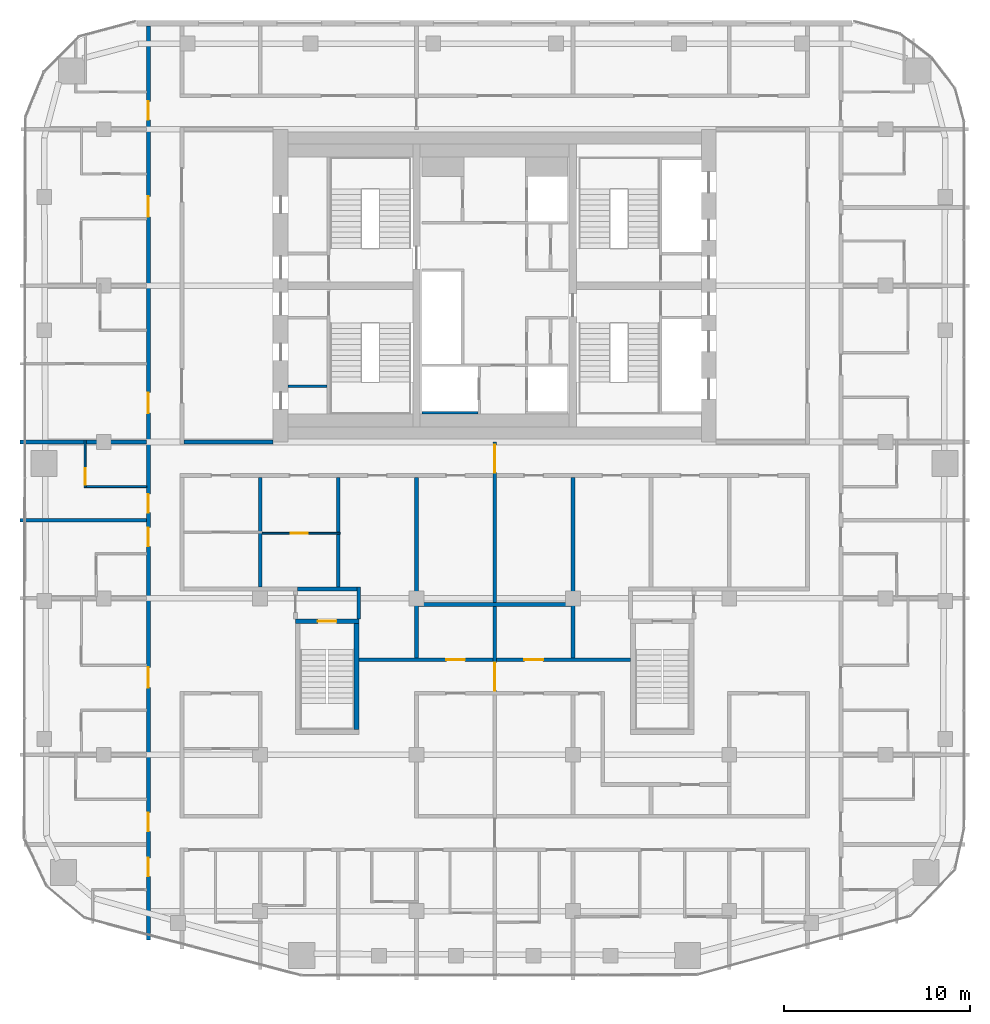
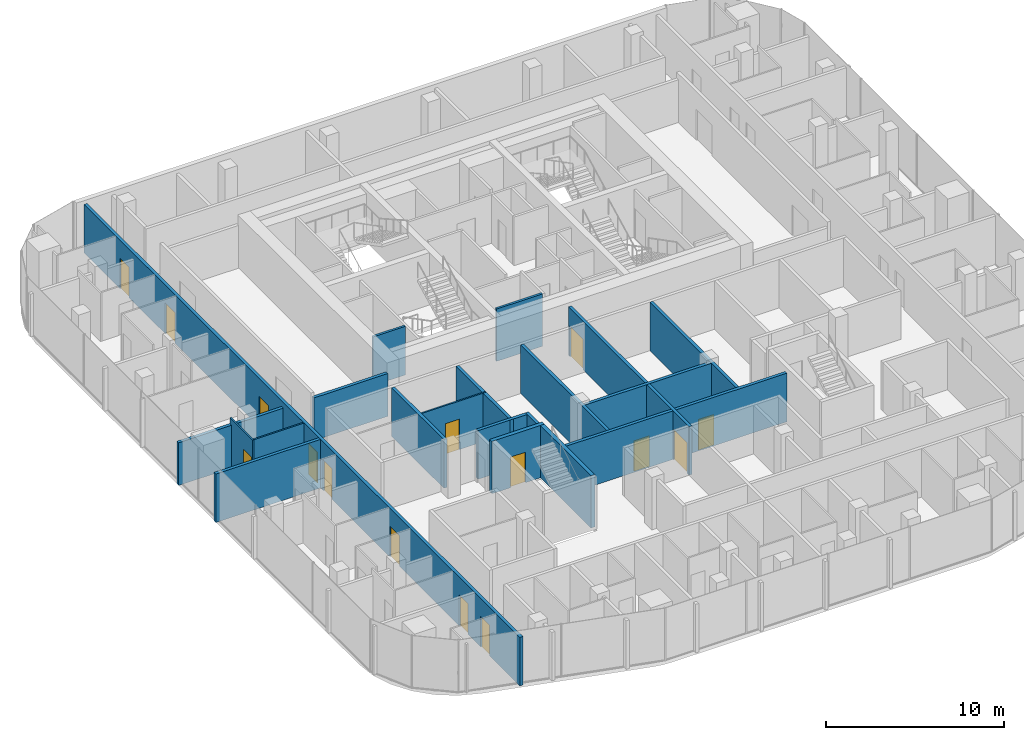
# One storey, part 15 of 22: 20 walls, 15 doors, 15 openings.
"""IFC4 building model written with IfcOpenShell, lengths in metres."""

from ifc_helpers import new_model, si_unit, direction, frame, frame_2d, origin, place, context, subcontext, project, spatial, rectangle, extrude, material, layer, layer_set, type_object, element, fill, save


model = new_model("IFC4")

# Units and contexts
model_context = context("Model", 3, precision=1e-05, world=origin(), true_north=direction((0.0, 1.0)))
body_context = subcontext(model_context, "Body", "Model", "MODEL_VIEW")
ifc_project = project(units=[si_unit("LENGTHUNIT", "METRE"), si_unit("AREAUNIT", "SQUARE_METRE"), si_unit("VOLUMEUNIT", "CUBIC_METRE"), si_unit("PLANEANGLEUNIT", "RADIAN"), si_unit("MASSUNIT", "GRAM", prefix="KILO")], contexts=[model_context])

# Site, building, storey
site_placement = place(None, origin())
site = spatial("IfcSite", under=ifc_project, at=site_placement, CompositionType="ELEMENT")
building_placement = place(site_placement, origin())
building = spatial("IfcBuilding", under=site, at=building_placement, Name="Marenta Gate Hotel Tower", CompositionType="ELEMENT")
storey_placement = place(building_placement, frame((0.0, 0.0, 209.300048828125)))
storey = spatial("IfcBuildingStorey", under=building, at=storey_placement, Name="L48", CompositionType="ELEMENT", Elevation=209.300048828125)

# Wall, openings, doors
ifc_material_1 = material(Name="Concrete blockwork", Category="masonry")
ifc_layer_1 = layer(ifc_material_1, 0.199951171875)
ifc_layer_set_1 = layer_set([ifc_layer_1], Name="Concrete blockwork")
wall_type_1 = type_object("IfcWallType", Name="Compartment wall 200 REI 180", PredefinedType="PARTITIONING", material=ifc_layer_set_1)
wall_1_placement = place(storey_placement, frame((0.0, -13.60009765625, 0.0), z_axis=(0.0, 0.0, 1.0), x_axis=(0.0, 1.0, 0.0)))
wall_1 = element("IfcWall", 1, at=wall_1_placement, inside=storey, type_object=wall_type_1, Name="L48-PTN-W082", PredefinedType="PARTITIONING", context=body_context, shape_type="SweptSolid", body=[
    extrude(rectangle(XDim=13.60009765625, YDim=0.199951171875, at=frame_2d((6.800048828125, 0.0))), origin(), (0.0, 0.0, 1.0), 3.33984375),
])
opening_1_placement = place(wall_1_placement, frame((11.949951171875, 0.0, 0.0)))
opening_1 = element("IfcOpeningElement", 2, at=opening_1_placement, cuts=wall_1, Name="Opening G17-FD2", PredefinedType="OPENING", context=body_context, shape_type="SweptSolid", body=[
    extrude(rectangle(XDim=1.5, YDim=2.10009765625, at=frame_2d((0.75, 1.050048828125))), frame((0.0, 0.10009765625, 0.0), z_axis=(0.0, -1.0, 0.0), x_axis=(1.0, 0.0, 0.0)), (0.0, 0.0, 1.0), 0.199951171875),
])
opening_2_placement = place(wall_1_placement, frame((0.25, 0.0, 0.0)))
opening_2 = element("IfcOpeningElement", 3, at=opening_2_placement, cuts=wall_1, Name="Opening G17-FD3", PredefinedType="OPENING", context=body_context, shape_type="SweptSolid", body=[
    extrude(rectangle(XDim=1.5, YDim=2.10009765625, at=frame_2d((0.75, 1.050048828125))), frame((0.0, 0.10009765625, 0.0), z_axis=(0.0, -1.0, 0.0), x_axis=(1.0, 0.0, 0.0)), (0.0, 0.0, 1.0), 0.199951171875),
])
ifc_material_2 = material(Name="Hollow steel door set", Category="steel")
door_type_1 = type_object("IfcDoorType", Name="Compartment fire door 1500x2100 EI 60", OperationType="DOUBLE_DOOR_DOUBLE_SWING", PredefinedType="DOOR", material=ifc_material_2)
door_1_placement = place(opening_1_placement, origin())
door_1 = element("IfcDoor", 4, at=door_1_placement, inside=storey, type_object=door_type_1, Name="L48-PD-FD02", OperationType="DOUBLE_DOOR_DOUBLE_SWING", OverallHeight=2.10009765625, OverallWidth=1.5, PredefinedType="DOOR", context=body_context, shape_type="SweptSolid", body=[
    extrude(rectangle(XDim=1.5, YDim=2.10009765625, at=frame_2d((0.75, 1.050048828125))), frame((0.0, 0.02490234375, 0.0), z_axis=(0.0, -1.0, 0.0), x_axis=(1.0, 0.0, 0.0)), (0.0, 0.0, 1.0), 0.050048828125),
])
fill(opening_1, door_1)
door_2_placement = place(opening_2_placement, origin())
door_2 = element("IfcDoor", 5, at=door_2_placement, inside=storey, type_object=door_type_1, Name="L48-PD-FD03", OperationType="DOUBLE_DOOR_DOUBLE_SWING", OverallHeight=2.10009765625, OverallWidth=1.5, PredefinedType="DOOR", context=body_context, shape_type="SweptSolid", body=[
    extrude(rectangle(XDim=1.5, YDim=2.10009765625, at=frame_2d((0.75, 1.050048828125))), frame((0.0, 0.02490234375, 0.0), z_axis=(0.0, -1.0, 0.0), x_axis=(1.0, 0.0, 0.0)), (0.0, 0.0, 1.0), 0.050048828125),
])
fill(opening_2, door_2)

# Walls
ifc_material_3 = material(Name="Concrete blockwork", Category="masonry")
ifc_layer_2 = layer(ifc_material_3, 0.199951171875)
ifc_layer_set_2 = layer_set([ifc_layer_2], Name="Concrete blockwork")
wall_type_2 = type_object("IfcWallType", Name="Core boundary wall 200 REI 180", PredefinedType="PARTITIONING", material=ifc_layer_set_2)
wall_2_placement = place(storey_placement, frame((-16.699951171875, 0.0, 0.0), z_axis=(0.0, 0.0, 1.0), x_axis=(1.0, 0.0, 0.0)))
element("IfcWall", 6, at=wall_2_placement, inside=storey, type_object=wall_type_2, Name="L48-CP-EW-WS", PredefinedType="PARTITIONING", context=body_context, shape_type="SweptSolid", body=[
    extrude(rectangle(XDim=4.800048828125, YDim=0.199951171875, at=frame_2d((2.39990234375, 0.0))), origin(), (0.0, 0.0, 1.0), 2.93994140625),
])
ifc_material_4 = material(Name="Concrete blockwork", Category="masonry")
ifc_layer_3 = layer(ifc_material_4, 0.14990234375)
ifc_layer_set_3 = layer_set([ifc_layer_3], Name="Concrete blockwork")
wall_type_3 = type_object("IfcWallType", Name="Core room partition 150 REI 180", PredefinedType="PARTITIONING", material=ifc_layer_set_3)
wall_3_placement = place(storey_placement, frame((-11.10009765625, 3.0, 0.0), z_axis=(0.0, 0.0, 1.0), x_axis=(1.0, 0.0, 0.0)))
element("IfcWall", 7, at=wall_3_placement, inside=storey, type_object=wall_type_3, Name="L48-CP-RW-WS-1", PredefinedType="PARTITIONING", context=body_context, shape_type="SweptSolid", body=[
    extrude(rectangle(XDim=2.10009765625, YDim=0.14990234375, at=frame_2d((1.050048828125, 0.0))), origin(), (0.0, 0.0, 1.0), 3.33984375),
])
ifc_material_5 = material(Name="Concrete C40", Category="concrete")
ifc_layer_4 = layer(ifc_material_5, 0.14990234375)
ifc_layer_set_4 = layer_set([ifc_layer_4], Name="Concrete C40")
wall_type_4 = type_object("IfcWallType", Name="Core shaft wall 150 REI 180", PredefinedType="SHEAR", material=ifc_layer_set_4)
wall_4_placement = place(storey_placement, frame((-3.89990234375, 1.574951171875, 0.0), z_axis=(0.0, 0.0, 1.0), x_axis=(1.0, 0.0, 0.0)))
element("IfcWall", 8, at=wall_4_placement, inside=storey, type_object=wall_type_4, Name="L48-SHF-CW-W-ffs", PredefinedType="SHEAR", context=body_context, shape_type="SweptSolid", body=[
    extrude(rectangle(XDim=3.0, YDim=0.14990234375, at=frame_2d((1.5, 0.0))), origin(), (0.0, 0.0, 1.0), 3.599853515625),
])

# Wall, opening, door
ifc_material_6 = material(Name="Concrete C40", Category="concrete")
ifc_layer_5 = layer(ifc_material_6, 0.25)
ifc_layer_set_5 = layer_set([ifc_layer_5], Name="Concrete C40")
wall_type_5 = type_object("IfcWallType", Name="Remote stair enclosure wall 250 REI 180", PredefinedType="SHEAR", material=ifc_layer_set_5)
wall_5_placement = place(storey_placement, frame((-10.699951171875, -9.625, 0.099853515625), z_axis=(0.0, 0.0, 1.0), x_axis=(1.0, 0.0, 0.0)))
wall_5 = element("IfcWall", 9, at=wall_5_placement, inside=storey, type_object=wall_type_5, Name="L48-RS-Z3-1-W2", PredefinedType="SHEAR", context=body_context, shape_type="SweptSolid", body=[
    extrude(rectangle(XDim=3.39990234375, YDim=0.25, at=frame_2d((1.699951171875, 0.0))), origin(), (0.0, 0.0, 1.0), 3.60009765625),
])
opening_3_placement = place(wall_5_placement, frame((1.199951171875, 0.0, 0.0)))
opening_3 = element("IfcOpeningElement", 10, at=opening_3_placement, cuts=wall_5, Name="Opening VD", PredefinedType="OPENING", context=body_context, shape_type="SweptSolid", body=[
    extrude(rectangle(XDim=1.0, YDim=2.10009765625, at=frame_2d((0.5, 1.050048828125))), frame((0.0, 0.125, 0.0), z_axis=(0.0, -1.0, 0.0), x_axis=(1.0, 0.0, 0.0)), (0.0, 0.0, 1.0), 0.25),
])
ifc_material_7 = material(Name="Steel", Category="steel")
door_type_2 = type_object("IfcDoorType", Name="Stair vestibule door 1000x2100 FD60", OperationType="SINGLE_SWING_LEFT", PredefinedType="DOOR", material=ifc_material_7)
door_3_placement = place(opening_3_placement, origin())
door_3 = element("IfcDoor", 11, at=door_3_placement, inside=storey, type_object=door_type_2, Name="VD", OperationType="SINGLE_SWING_LEFT", OverallHeight=2.10009765625, OverallWidth=1.0, PredefinedType="DOOR", context=body_context, shape_type="SweptSolid", body=[
    extrude(rectangle(XDim=1.0, YDim=2.10009765625, at=frame_2d((0.5, 1.050048828125))), frame((0.0, 0.02490234375, 0.0), z_axis=(0.0, -1.0, 0.0), x_axis=(1.0, 0.0, 0.0)), (0.0, 0.0, 1.0), 0.050048828125),
])
fill(opening_3, door_3)

# Wall
wall_6_placement = place(storey_placement, frame((-7.425048828125, -15.449951171875, 0.099853515625), z_axis=(0.0, 0.0, 1.0), x_axis=(0.0, 1.0, 0.0)))
element("IfcWall", 12, at=wall_6_placement, inside=storey, type_object=wall_type_5, Name="L48-RS-Z3-1-W4", PredefinedType="SHEAR", context=body_context, shape_type="SweptSolid", body=[
    extrude(rectangle(XDim=5.699951171875, YDim=0.25, at=frame_2d((2.85009765625, 0.0))), origin(), (0.0, 0.0, 1.0), 3.60009765625),
])

# Wall, openings, doors
ifc_material_8 = material(Name="Gypsum board on steel stud", Category="steel")
ifc_layer_6 = layer(ifc_material_8, 0.199951171875)
ifc_layer_set_6 = layer_set([ifc_layer_6], Name="Gypsum board on steel stud")
wall_type_6 = type_object("IfcWallType", Name="Room corridor wall 200 EI 60", PredefinedType="PARTITIONING", material=ifc_layer_set_6)
wall_7_placement = place(storey_placement, frame((-7.300048828125, -11.699951171875, 0.0), z_axis=(0.0, 0.0, 1.0), x_axis=(1.0, 0.0, 0.0)))
wall_7 = element("IfcWall", 13, at=wall_7_placement, inside=storey, type_object=wall_type_6, Name="L48-PTN-W051", PredefinedType="PARTITIONING", context=body_context, shape_type="SweptSolid", body=[
    extrude(rectangle(XDim=14.60009765625, YDim=0.199951171875, at=frame_2d((7.300048828125, 0.0))), origin(), (0.0, 0.0, 1.0), 3.33984375),
])
opening_4_placement = place(wall_7_placement, frame((4.699951171875, 0.0, 0.0)))
opening_4 = element("IfcOpeningElement", 14, at=opening_4_placement, cuts=wall_7, Name="Opening G17-77", PredefinedType="OPENING", context=body_context, shape_type="SweptSolid", body=[
    extrude(rectangle(XDim=1.0, YDim=2.10009765625, at=frame_2d((0.5, 1.050048828125))), frame((0.0, 0.10009765625, 0.0), z_axis=(0.0, -1.0, 0.0), x_axis=(1.0, 0.0, 0.0)), (0.0, 0.0, 1.0), 0.199951171875),
])
opening_5_placement = place(wall_7_placement, frame((8.89990234375, 0.0, 0.0)))
opening_5 = element("IfcOpeningElement", 15, at=opening_5_placement, cuts=wall_7, Name="Opening G17-79", PredefinedType="OPENING", context=body_context, shape_type="SweptSolid", body=[
    extrude(rectangle(XDim=1.0, YDim=2.10009765625, at=frame_2d((0.5, 1.050048828125))), frame((0.0, 0.10009765625, 0.0), z_axis=(0.0, -1.0, 0.0), x_axis=(1.0, 0.0, 0.0)), (0.0, 0.0, 1.0), 0.199951171875),
])
ifc_material_9 = material(Name="Timber door leaf", Category="wood")
door_type_3 = type_object("IfcDoorType", Name="Room amenity door 1000x2100 EI 30", OperationType="NOTDEFINED", PredefinedType="DOOR", material=ifc_material_9)
door_4_placement = place(opening_4_placement, origin())
door_4 = element("IfcDoor", 16, at=door_4_placement, inside=storey, type_object=door_type_3, Name="L48-PD-D077", OperationType="SINGLE_SWING_LEFT", OverallHeight=2.10009765625, OverallWidth=1.0, PredefinedType="DOOR", context=body_context, shape_type="SweptSolid", body=[
    extrude(rectangle(XDim=1.0, YDim=2.10009765625, at=frame_2d((0.5, 1.050048828125))), frame((0.0, 0.02490234375, 0.0), z_axis=(0.0, -1.0, 0.0), x_axis=(1.0, 0.0, 0.0)), (0.0, 0.0, 1.0), 0.050048828125),
])
fill(opening_4, door_4)
door_5_placement = place(opening_5_placement, origin())
door_5 = element("IfcDoor", 17, at=door_5_placement, inside=storey, type_object=door_type_3, Name="L48-PD-D079", OperationType="SINGLE_SWING_LEFT", OverallHeight=2.10009765625, OverallWidth=1.0, PredefinedType="DOOR", context=body_context, shape_type="SweptSolid", body=[
    extrude(rectangle(XDim=1.0, YDim=2.10009765625, at=frame_2d((0.5, 1.050048828125))), frame((0.0, 0.02490234375, 0.0), z_axis=(0.0, -1.0, 0.0), x_axis=(1.0, 0.0, 0.0)), (0.0, 0.0, 1.0), 0.050048828125),
])
fill(opening_5, door_5)

wall_8_placement = place(storey_placement, frame((-18.60009765625, -26.7509765625, 0.0), z_axis=(0.0, 0.0, 1.0), x_axis=(0.0, 1.0, 0.0)))
wall_8 = element("IfcWall", 18, at=wall_8_placement, inside=storey, type_object=wall_type_6, Name="L48-PTN-W118", PredefinedType="PARTITIONING", context=body_context, shape_type="SweptSolid", body=[
    extrude(rectangle(XDim=49.091064453125, YDim=0.199951171875, at=frame_2d((24.54541015625, 0.0))), origin(), (0.0, 0.0, 1.0), 3.33984375),
])
opening_6_placement = place(wall_8_placement, frame((3.4130859375, 0.0, 0.0)))
opening_6 = element("IfcOpeningElement", 19, at=opening_6_placement, cuts=wall_8, Name="Opening G17-56", PredefinedType="OPENING", context=body_context, shape_type="SweptSolid", body=[
    extrude(rectangle(XDim=1.0, YDim=2.10009765625, at=frame_2d((0.5, 1.050048828125))), frame((0.0, 0.10009765625, 0.0), z_axis=(0.0, -1.0, 0.0), x_axis=(1.0, 0.0, 0.0)), (0.0, 0.0, 1.0), 0.199951171875),
])
opening_7_placement = place(wall_8_placement, frame((5.837890625, 0.0, 0.0)))
opening_7 = element("IfcOpeningElement", 20, at=opening_7_placement, cuts=wall_8, Name="Opening G17-58", PredefinedType="OPENING", context=body_context, shape_type="SweptSolid", body=[
    extrude(rectangle(XDim=1.0, YDim=2.10009765625, at=frame_2d((0.5, 1.050048828125))), frame((0.0, 0.10009765625, 0.0), z_axis=(0.0, -1.0, 0.0), x_axis=(1.0, 0.0, 0.0)), (0.0, 0.0, 1.0), 0.199951171875),
])
opening_8_placement = place(wall_8_placement, frame((13.551025390625, 0.0, 0.0)))
opening_8 = element("IfcOpeningElement", 21, at=opening_8_placement, cuts=wall_8, Name="Opening G17-60", PredefinedType="OPENING", context=body_context, shape_type="SweptSolid", body=[
    extrude(rectangle(XDim=1.10009765625, YDim=2.10009765625, at=frame_2d((0.550048828125, 1.050048828125))), frame((0.0, 0.10009765625, 0.0), z_axis=(0.0, -1.0, 0.0), x_axis=(1.0, 0.0, 0.0)), (0.0, 0.0, 1.0), 0.199951171875),
])
opening_9_placement = place(wall_8_placement, frame((21.15087890625, 0.0, 0.0)))
opening_9 = element("IfcOpeningElement", 22, at=opening_9_placement, cuts=wall_8, Name="Opening G17-63", PredefinedType="OPENING", context=body_context, shape_type="SweptSolid", body=[
    extrude(rectangle(XDim=1.0, YDim=2.10009765625, at=frame_2d((0.5, 1.050048828125))), frame((0.0, 0.10009765625, 0.0), z_axis=(0.0, -1.0, 0.0), x_axis=(1.0, 0.0, 0.0)), (0.0, 0.0, 1.0), 0.199951171875),
])
opening_10_placement = place(wall_8_placement, frame((22.950927734375, 0.0, 0.0)))
opening_10 = element("IfcOpeningElement", 23, at=opening_10_placement, cuts=wall_8, Name="Opening G17-65", PredefinedType="OPENING", context=body_context, shape_type="SweptSolid", body=[
    extrude(rectangle(XDim=1.0, YDim=2.10009765625, at=frame_2d((0.5, 1.050048828125))), frame((0.0, 0.10009765625, 0.0), z_axis=(0.0, -1.0, 0.0), x_axis=(1.0, 0.0, 0.0)), (0.0, 0.0, 1.0), 0.199951171875),
])
opening_11_placement = place(wall_8_placement, frame((28.301025390625, 0.0, 0.0)))
opening_11 = element("IfcOpeningElement", 24, at=opening_11_placement, cuts=wall_8, Name="Opening G17-67", PredefinedType="OPENING", context=body_context, shape_type="SweptSolid", body=[
    extrude(rectangle(XDim=1.10009765625, YDim=2.10009765625, at=frame_2d((0.550048828125, 1.050048828125))), frame((0.0, 0.10009765625, 0.0), z_axis=(0.0, -1.0, 0.0), x_axis=(1.0, 0.0, 0.0)), (0.0, 0.0, 1.0), 0.199951171875),
])
opening_12_placement = place(wall_8_placement, frame((38.85107421875, 0.0, 0.0)))
opening_12 = element("IfcOpeningElement", 25, at=opening_12_placement, cuts=wall_8, Name="Opening G17-70", PredefinedType="OPENING", context=body_context, shape_type="SweptSolid", body=[
    extrude(rectangle(XDim=1.10009765625, YDim=2.10009765625, at=frame_2d((0.550048828125, 1.050048828125))), frame((0.0, 0.10009765625, 0.0), z_axis=(0.0, -1.0, 0.0), x_axis=(1.0, 0.0, 0.0)), (0.0, 0.0, 1.0), 0.199951171875),
])
opening_13_placement = place(wall_8_placement, frame((44.051025390625, 0.0, 0.0)))
opening_13 = element("IfcOpeningElement", 26, at=opening_13_placement, cuts=wall_8, Name="Opening G17-73", PredefinedType="OPENING", context=body_context, shape_type="SweptSolid", body=[
    extrude(rectangle(XDim=1.0, YDim=2.10009765625, at=frame_2d((0.5, 1.050048828125))), frame((0.0, 0.10009765625, 0.0), z_axis=(0.0, -1.0, 0.0), x_axis=(1.0, 0.0, 0.0)), (0.0, 0.0, 1.0), 0.199951171875),
])
ifc_material_10 = material(Name="Timber door leaf", Category="wood")
door_type_4 = type_object("IfcDoorType", Name="Guest room door 1000x2100 EI 30", OperationType="NOTDEFINED", PredefinedType="DOOR", material=ifc_material_10)
door_6_placement = place(opening_6_placement, origin())
door_6 = element("IfcDoor", 27, at=door_6_placement, inside=storey, type_object=door_type_4, Name="L48-PD-D056", OperationType="SINGLE_SWING_LEFT", OverallHeight=2.10009765625, OverallWidth=1.0, PredefinedType="DOOR", context=body_context, shape_type="SweptSolid", body=[
    extrude(rectangle(XDim=1.0, YDim=2.10009765625, at=frame_2d((0.5, 1.050048828125))), frame((0.0, 0.02490234375, 0.0), z_axis=(0.0, -1.0, 0.0), x_axis=(1.0, 0.0, 0.0)), (0.0, 0.0, 1.0), 0.050048828125),
])
fill(opening_6, door_6)
door_7_placement = place(opening_7_placement, origin())
door_7 = element("IfcDoor", 28, at=door_7_placement, inside=storey, type_object=door_type_4, Name="L48-PD-D058", OperationType="SINGLE_SWING_LEFT", OverallHeight=2.10009765625, OverallWidth=1.0, PredefinedType="DOOR", context=body_context, shape_type="SweptSolid", body=[
    extrude(rectangle(XDim=1.0, YDim=2.10009765625, at=frame_2d((0.5, 1.050048828125))), frame((0.0, 0.02490234375, 0.0), z_axis=(0.0, -1.0, 0.0), x_axis=(1.0, 0.0, 0.0)), (0.0, 0.0, 1.0), 0.050048828125),
])
fill(opening_7, door_7)
door_8_placement = place(opening_9_placement, origin())
door_8 = element("IfcDoor", 29, at=door_8_placement, inside=storey, type_object=door_type_4, Name="L48-PD-D063", OperationType="SINGLE_SWING_RIGHT", OverallHeight=2.10009765625, OverallWidth=1.0, PredefinedType="DOOR", context=body_context, shape_type="SweptSolid", body=[
    extrude(rectangle(XDim=1.0, YDim=2.10009765625, at=frame_2d((0.5, 1.050048828125))), frame((0.0, 0.02490234375, 0.0), z_axis=(0.0, -1.0, 0.0), x_axis=(1.0, 0.0, 0.0)), (0.0, 0.0, 1.0), 0.050048828125),
])
fill(opening_9, door_8)
door_9_placement = place(opening_10_placement, origin())
door_9 = element("IfcDoor", 30, at=door_9_placement, inside=storey, type_object=door_type_4, Name="L48-PD-D065", OperationType="SINGLE_SWING_RIGHT", OverallHeight=2.10009765625, OverallWidth=1.0, PredefinedType="DOOR", context=body_context, shape_type="SweptSolid", body=[
    extrude(rectangle(XDim=1.0, YDim=2.10009765625, at=frame_2d((0.5, 1.050048828125))), frame((0.0, 0.02490234375, 0.0), z_axis=(0.0, -1.0, 0.0), x_axis=(1.0, 0.0, 0.0)), (0.0, 0.0, 1.0), 0.050048828125),
])
fill(opening_10, door_9)
door_10_placement = place(opening_13_placement, origin())
door_10 = element("IfcDoor", 31, at=door_10_placement, inside=storey, type_object=door_type_4, Name="L48-PD-D073", OperationType="SINGLE_SWING_RIGHT", OverallHeight=2.10009765625, OverallWidth=1.0, PredefinedType="DOOR", context=body_context, shape_type="SweptSolid", body=[
    extrude(rectangle(XDim=1.0, YDim=2.10009765625, at=frame_2d((0.5, 1.050048828125))), frame((0.0, 0.02490234375, 0.0), z_axis=(0.0, -1.0, 0.0), x_axis=(1.0, 0.0, 0.0)), (0.0, 0.0, 1.0), 0.050048828125),
])
fill(opening_13, door_10)
ifc_material_11 = material(Name="Timber door leaf", Category="wood")
door_type_5 = type_object("IfcDoorType", Name="Guest room door 1100x2100 EI 30", OperationType="NOTDEFINED", PredefinedType="DOOR", material=ifc_material_11)
door_11_placement = place(opening_8_placement, origin())
door_11 = element("IfcDoor", 32, at=door_11_placement, inside=storey, type_object=door_type_5, Name="L48-PD-D060", OperationType="SINGLE_SWING_RIGHT", OverallHeight=2.10009765625, OverallWidth=1.10009765625, PredefinedType="DOOR", context=body_context, shape_type="SweptSolid", body=[
    extrude(rectangle(XDim=1.10009765625, YDim=2.10009765625, at=frame_2d((0.550048828125, 1.050048828125))), frame((0.0, 0.02490234375, 0.0), z_axis=(0.0, -1.0, 0.0), x_axis=(1.0, 0.0, 0.0)), (0.0, 0.0, 1.0), 0.050048828125),
])
fill(opening_8, door_11)
door_12_placement = place(opening_11_placement, origin())
door_12 = element("IfcDoor", 33, at=door_12_placement, inside=storey, type_object=door_type_5, Name="L48-PD-D067", OperationType="SINGLE_SWING_RIGHT", OverallHeight=2.10009765625, OverallWidth=1.10009765625, PredefinedType="DOOR", context=body_context, shape_type="SweptSolid", body=[
    extrude(rectangle(XDim=1.10009765625, YDim=2.10009765625, at=frame_2d((0.550048828125, 1.050048828125))), frame((0.0, 0.02490234375, 0.0), z_axis=(0.0, -1.0, 0.0), x_axis=(1.0, 0.0, 0.0)), (0.0, 0.0, 1.0), 0.050048828125),
])
fill(opening_11, door_12)
door_13_placement = place(opening_12_placement, origin())
door_13 = element("IfcDoor", 34, at=door_13_placement, inside=storey, type_object=door_type_5, Name="L48-PD-D070", OperationType="SINGLE_SWING_LEFT", OverallHeight=2.10009765625, OverallWidth=1.10009765625, PredefinedType="DOOR", context=body_context, shape_type="SweptSolid", body=[
    extrude(rectangle(XDim=1.10009765625, YDim=2.10009765625, at=frame_2d((0.550048828125, 1.050048828125))), frame((0.0, 0.02490234375, 0.0), z_axis=(0.0, -1.0, 0.0), x_axis=(1.0, 0.0, 0.0)), (0.0, 0.0, 1.0), 0.050048828125),
])
fill(opening_12, door_13)

# Wall, opening, door
ifc_material_12 = material(Name="Gypsum board on steel stud", Category="steel")
ifc_layer_7 = layer(ifc_material_12, 0.10009765625)
ifc_layer_set_7 = layer_set([ifc_layer_7], Name="Gypsum board on steel stud")
wall_type_7 = type_object("IfcWallType", Name="Room partition 100", PredefinedType="PARTITIONING", material=ifc_layer_set_7)
wall_9_placement = place(storey_placement, frame((-12.5, -4.89990234375, 0.0), z_axis=(0.0, 0.0, 1.0), x_axis=(1.0, 0.0, 0.0)))
wall_9 = element("IfcWall", 35, at=wall_9_placement, inside=storey, type_object=wall_type_7, Name="L48-PTN-W068", PredefinedType="PARTITIONING", context=body_context, shape_type="SweptSolid", body=[
    extrude(rectangle(XDim=4.199951171875, YDim=0.10009765625, at=frame_2d((2.10009765625, 0.0))), origin(), (0.0, 0.0, 1.0), 3.33984375),
])
opening_14_placement = place(wall_9_placement, frame((1.550048828125, 0.0, 0.0)))
opening_14 = element("IfcOpeningElement", 36, at=opening_14_placement, cuts=wall_9, Name="Opening G17-04", PredefinedType="OPENING", context=body_context, shape_type="SweptSolid", body=[
    extrude(rectangle(XDim=0.89990234375, YDim=2.10009765625, at=frame_2d((0.449951171875, 1.050048828125))), frame((0.0, 0.050048828125, 0.0), z_axis=(0.0, -1.0, 0.0), x_axis=(1.0, 0.0, 0.0)), (0.0, 0.0, 1.0), 0.10009765625),
])
ifc_material_13 = material(Name="Timber door leaf", Category="wood")
door_type_6 = type_object("IfcDoorType", Name="Room inner door 900x2100", OperationType="NOTDEFINED", PredefinedType="DOOR", material=ifc_material_13)
door_14_placement = place(opening_14_placement, origin())
door_14 = element("IfcDoor", 37, at=door_14_placement, inside=storey, type_object=door_type_6, Name="L48-PD-D004", OperationType="SINGLE_SWING_RIGHT", OverallHeight=2.10009765625, OverallWidth=0.89990234375, PredefinedType="DOOR", context=body_context, shape_type="SweptSolid", body=[
    extrude(rectangle(XDim=0.89990234375, YDim=2.10009765625, at=frame_2d((0.449951171875, 1.050048828125))), frame((0.0, 0.02490234375, 0.0), z_axis=(0.0, -1.0, 0.0), x_axis=(1.0, 0.0, 0.0)), (0.0, 0.0, 1.0), 0.050048828125),
])
fill(opening_14, door_14)

# Wall
wall_10_placement = place(storey_placement, frame((-21.949951171875, -2.39990234375, 0.0), z_axis=(0.0, 0.0, 1.0), x_axis=(1.0, 0.0, 0.0)))
element("IfcWall", 38, at=wall_10_placement, inside=storey, type_object=wall_type_7, Name="L48-PTN-W077", PredefinedType="PARTITIONING", context=body_context, shape_type="SweptSolid", body=[
    extrude(rectangle(XDim=3.25, YDim=0.10009765625, at=frame_2d((1.625, 0.0))), origin(), (0.0, 0.0, 1.0), 3.33984375),
])

# Wall, opening, door
wall_11_placement = place(storey_placement, frame((-22.0, -2.449951171875, 0.0), z_axis=(0.0, 0.0, 1.0), x_axis=(0.0, 1.0, 0.0)))
wall_11 = element("IfcWall", 39, at=wall_11_placement, inside=storey, type_object=wall_type_7, Name="L48-PTN-W125", PredefinedType="PARTITIONING", context=body_context, shape_type="SweptSolid", body=[
    extrude(rectangle(XDim=2.550048828125, YDim=0.10009765625, at=frame_2d((1.27490234375, 0.0))), origin(), (0.0, 0.0, 1.0), 3.33984375),
])
opening_15_placement = place(wall_11_placement, frame((0.14990234375, 0.0, 0.0)))
opening_15 = element("IfcOpeningElement", 40, at=opening_15_placement, cuts=wall_11, Name="Opening G17-66", PredefinedType="OPENING", context=body_context, shape_type="SweptSolid", body=[
    extrude(rectangle(XDim=0.89990234375, YDim=2.10009765625, at=frame_2d((0.449951171875, 1.050048828125))), frame((0.0, 0.050048828125, 0.0), z_axis=(0.0, -1.0, 0.0), x_axis=(1.0, 0.0, 0.0)), (0.0, 0.0, 1.0), 0.10009765625),
])
ifc_material_14 = material(Name="Timber door leaf", Category="wood")
door_type_7 = type_object("IfcDoorType", Name="Guest bathroom door 900x2100", OperationType="NOTDEFINED", PredefinedType="DOOR", material=ifc_material_14)
door_15_placement = place(opening_15_placement, origin())
door_15 = element("IfcDoor", 41, at=door_15_placement, inside=storey, type_object=door_type_7, Name="L48-PD-D066", OperationType="SINGLE_SWING_RIGHT", OverallHeight=2.10009765625, OverallWidth=0.89990234375, PredefinedType="DOOR", context=body_context, shape_type="SweptSolid", body=[
    extrude(rectangle(XDim=0.89990234375, YDim=2.10009765625, at=frame_2d((0.449951171875, 1.050048828125))), frame((0.0, 0.02490234375, 0.0), z_axis=(0.0, -1.0, 0.0), x_axis=(1.0, 0.0, 0.0)), (0.0, 0.0, 1.0), 0.050048828125),
])
fill(opening_15, door_15)

# Walls
ifc_material_15 = material(Name="Concrete blockwork", Category="masonry")
ifc_layer_8 = layer(ifc_material_15, 0.199951171875)
ifc_layer_set_8 = layer_set([ifc_layer_8], Name="Concrete blockwork")
wall_type_8 = type_object("IfcWallType", Name="Room party wall 200 EI 120", PredefinedType="PARTITIONING", material=ifc_layer_set_8)
wall_12_placement = place(storey_placement, frame((-8.39990234375, -8.0, 0.0), z_axis=(0.0, 0.0, 1.0), x_axis=(0.0, 1.0, 0.0)))
element("IfcWall", 42, at=wall_12_placement, inside=storey, type_object=wall_type_8, Name="L48-PTN-W097", PredefinedType="PARTITIONING", context=body_context, shape_type="SweptSolid", body=[
    extrude(rectangle(XDim=6.10009765625, YDim=0.199951171875, at=frame_2d((3.050048828125, 0.0))), origin(), (0.0, 0.0, 1.0), 3.33984375),
])
wall_13_placement = place(storey_placement, frame((-12.60009765625, -7.800048828125, 0.0), z_axis=(0.0, 0.0, 1.0), x_axis=(0.0, 1.0, 0.0)))
element("IfcWall", 43, at=wall_13_placement, inside=storey, type_object=wall_type_8, Name="L48-PTN-W105", PredefinedType="PARTITIONING", context=body_context, shape_type="SweptSolid", body=[
    extrude(rectangle(XDim=5.900146484375, YDim=0.199951171875, at=frame_2d((2.9501953125, 0.0))), origin(), (0.0, 0.0, 1.0), 3.33984375),
])
ifc_material_16 = material(Name="Gypsum board on steel stud", Category="steel")
ifc_layer_9 = layer(ifc_material_16, 0.199951171875)
ifc_layer_set_9 = layer_set([ifc_layer_9], Name="Gypsum board on steel stud")
wall_type_9 = type_object("IfcWallType", Name="Room party wall 200 EI 60", PredefinedType="PARTITIONING", material=ifc_layer_set_9)
wall_14_placement = place(storey_placement, frame((-4.10009765625, -8.72998046875, 0.0), z_axis=(0.0, 0.0, 1.0), x_axis=(1.0, 0.0, 0.0)))
element("IfcWall", 44, at=wall_14_placement, inside=storey, type_object=wall_type_9, Name="L48-PTN-W054", PredefinedType="PARTITIONING", context=body_context, shape_type="SweptSolid", body=[
    extrude(rectangle(XDim=8.2001953125, YDim=0.199951171875, at=frame_2d((4.10009765625, 0.0))), origin(), (0.0, 0.0, 1.0), 3.33984375),
])
wall_15_placement = place(storey_placement, frame((4.199951171875, -11.60009765625, 0.0), z_axis=(0.0, 0.0, 1.0), x_axis=(0.0, 1.0, 0.0)))
element("IfcWall", 45, at=wall_15_placement, inside=storey, type_object=wall_type_9, Name="L48-PTN-W072", PredefinedType="PARTITIONING", context=body_context, shape_type="SweptSolid", body=[
    extrude(rectangle(XDim=9.7001953125, YDim=0.199951171875, at=frame_2d((4.85009765625, 0.0))), origin(), (0.0, 0.0, 1.0), 3.33984375),
])
wall_16_placement = place(storey_placement, frame((-25.5, -4.199951171875, 0.0), z_axis=(0.0, 0.0, 1.0), x_axis=(1.0, 0.0, 0.0)))
element("IfcWall", 46, at=wall_16_placement, inside=storey, type_object=wall_type_9, Name="L48-PTN-W074", PredefinedType="PARTITIONING", context=body_context, shape_type="SweptSolid", body=[
    extrude(rectangle(XDim=6.800048828125, YDim=0.199951171875, at=frame_2d((3.39990234375, 0.0))), origin(), (0.0, 0.0, 1.0), 3.33984375),
])
wall_17_placement = place(storey_placement, frame((-25.5, 0.0, 0.0), z_axis=(0.0, 0.0, 1.0), x_axis=(1.0, 0.0, 0.0)))
element("IfcWall", 47, at=wall_17_placement, inside=storey, type_object=wall_type_9, Name="L48-PTN-W083", PredefinedType="PARTITIONING", context=body_context, shape_type="SweptSolid", body=[
    extrude(rectangle(XDim=6.800048828125, YDim=0.199951171875, at=frame_2d((3.39990234375, 0.0))), origin(), (0.0, 0.0, 1.0), 2.93994140625),
])
wall_18_placement = place(storey_placement, frame((-4.199951171875, -11.60009765625, 0.0), z_axis=(0.0, 0.0, 1.0), x_axis=(0.0, 1.0, 0.0)))
element("IfcWall", 48, at=wall_18_placement, inside=storey, type_object=wall_type_9, Name="L48-PTN-W088", PredefinedType="PARTITIONING", context=body_context, shape_type="SweptSolid", body=[
    extrude(rectangle(XDim=9.7001953125, YDim=0.199951171875, at=frame_2d((4.85009765625, 0.0))), origin(), (0.0, 0.0, 1.0), 3.33984375),
])
ifc_material_17 = material(Name="Concrete blockwork", Category="masonry")
ifc_layer_10 = layer(ifc_material_17, 0.199951171875)
ifc_layer_set_10 = layer_set([ifc_layer_10], Name="Concrete blockwork")
wall_type_10 = type_object("IfcWallType", Name="Room party wall 200 REI 180", PredefinedType="PARTITIONING", material=ifc_layer_set_10)
wall_19_placement = place(storey_placement, frame((-10.60009765625, -7.89990234375, 0.0), z_axis=(0.0, 0.0, 1.0), x_axis=(1.0, 0.0, 0.0)))
element("IfcWall", 49, at=wall_19_placement, inside=storey, type_object=wall_type_10, Name="L48-PTN-W061", PredefinedType="PARTITIONING", context=body_context, shape_type="SweptSolid", body=[
    extrude(rectangle(XDim=3.2001953125, YDim=0.199951171875, at=frame_2d((1.60009765625, 0.0))), origin(), (0.0, 0.0, 1.0), 3.33984375),
])
wall_20_placement = place(storey_placement, frame((-7.300048828125, -9.5, 0.0), z_axis=(0.0, 0.0, 1.0), x_axis=(0.0, 1.0, 0.0)))
element("IfcWall", 50, at=wall_20_placement, inside=storey, type_object=wall_type_10, Name="L48-PTN-W095", PredefinedType="PARTITIONING", context=body_context, shape_type="SweptSolid", body=[
    extrude(rectangle(XDim=1.699951171875, YDim=0.199951171875, at=frame_2d((0.85009765625, 0.0))), origin(), (0.0, 0.0, 1.0), 3.33984375),
])

save(model, "model.ifc")
